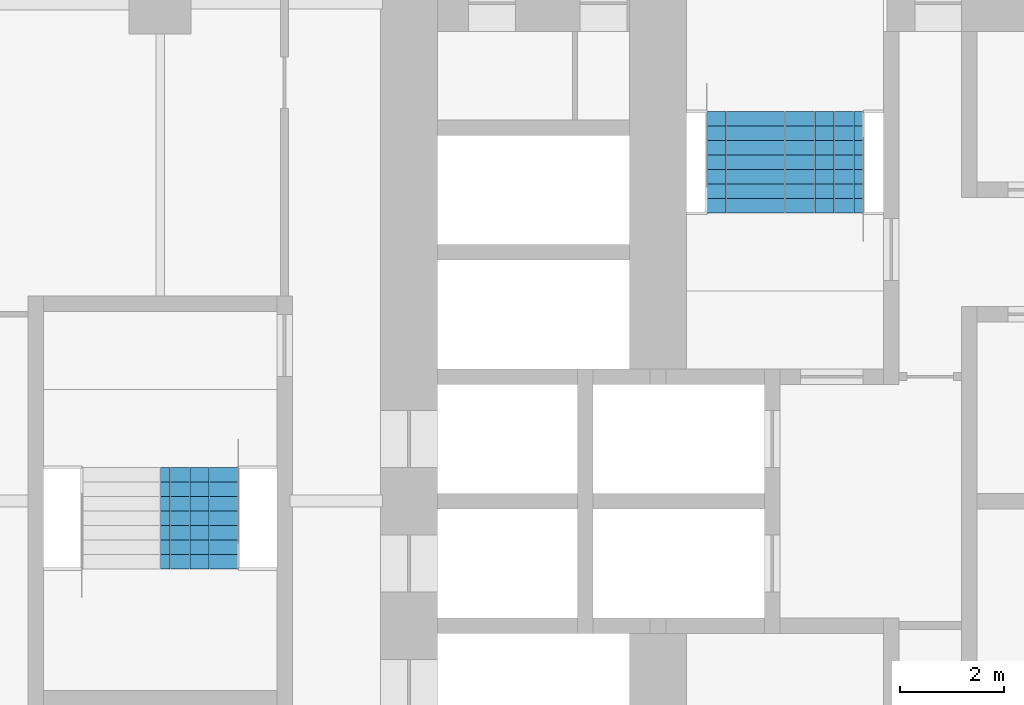
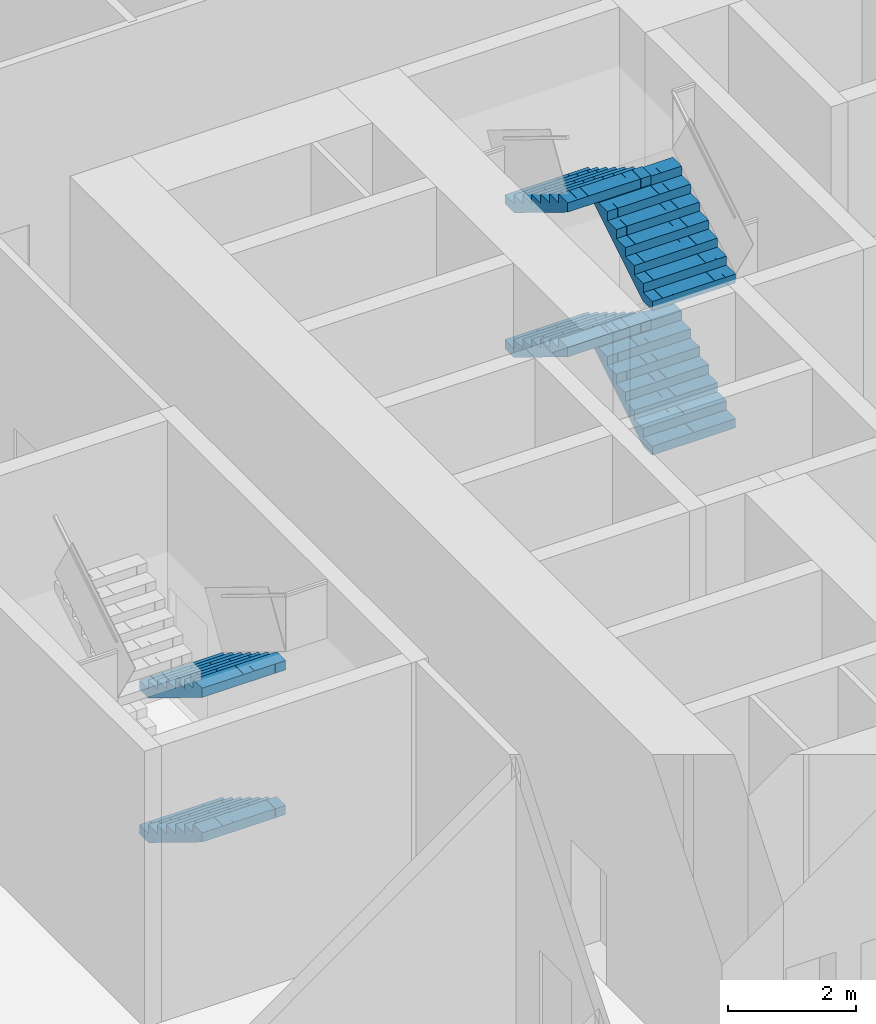
# One storey, part 24 of 27: 6 stair flights, 2 elements without a shape of their own.
"""IFC4 building model written with IfcOpenShell, lengths in metres."""

from ifc_helpers import new_model, si_unit, direction, frame, origin, place, context, subcontext, project, spatial, polyline, outline, extrude, material, type_object, element, aggregate, save


model = new_model("IFC4")

# Units and contexts
model_context = context("Model", 3, precision=1e-05, world=origin(), true_north=direction((0.0, 1.0)))
body_context = subcontext(model_context, "Body", "Model", "MODEL_VIEW")
ifc_project = project(units=[si_unit("LENGTHUNIT", "METRE"), si_unit("AREAUNIT", "SQUARE_METRE"), si_unit("VOLUMEUNIT", "CUBIC_METRE"), si_unit("PLANEANGLEUNIT", "RADIAN"), si_unit("MASSUNIT", "GRAM", prefix="KILO")], contexts=[model_context])

# Site, building, storey
site_placement = place(None, origin())
site = spatial("IfcSite", under=ifc_project, at=site_placement, CompositionType="ELEMENT")
building_placement = place(site_placement, origin())
building = spatial("IfcBuilding", under=site, at=building_placement, Name="Kolab Exchange Tower", CompositionType="ELEMENT")
storey_placement = place(building_placement, frame((0.0, 0.0, 44.39990234375)))
storey = spatial("IfcBuildingStorey", under=building, at=storey_placement, Name="L08", CompositionType="ELEMENT", Elevation=44.39990234375)

# Stair, stair flights
ifc_material = material(Name="Concrete C50/60", Category="concrete")
stair_type_1 = type_object("IfcStairType", Name="STAIR ST1 RISER 171.9", PredefinedType="DOUBLE_RETURN_STAIR", material=ifc_material)
stair_1_placement = place(storey_placement, origin())
stair_1 = element("IfcStair", 1, at=stair_1_placement, inside=storey, type_object=stair_type_1, Name="Stair 1", PredefinedType="DOUBLE_RETURN_STAIR")
stair_flight_type = type_object("IfcStairFlightType", Name="STAIR FLIGHT 1500 RISER 171.9", PredefinedType="STRAIGHT", material=ifc_material)
stair_flight_1_placement = place(storey_placement, frame((-6.389892578125, 5.550048828125, 0.0), z_axis=(0.0, 0.0, 1.0), x_axis=(0.0, 1.0, 0.0)))
stair_flight_1 = element("IfcStairFlight", 2, at=stair_flight_1_placement, type_object=stair_flight_type, Name="ST1 flight 1", NumberOfRisers=8, NumberOfTreads=7, PredefinedType="STRAIGHT", RiserHeight=0.171875, TreadLength=0.28, context=body_context, shape_type="SweptSolid", body=[
    extrude(outline(polyline([(0.0, 0.0), (0.0, 0.171875), (0.280029296875, 0.171875), (0.280029296875, 0.34375), (0.56005859375, 0.34375), (0.56005859375, 0.515625), (0.840087890625, 0.515625), (0.840087890625, 0.6875), (1.1201171875, 0.6875), (1.1201171875, 0.859375), (1.39990234375, 0.859375), (1.39990234375, 1.03125), (1.679931640625, 1.03125), (1.679931640625, 1.203125), (1.9599609375, 1.203125), (1.9599609375, 1.375), (1.9599609375, 1.02734375), (0.28662109375, 0.0), (0.0, 0.0)])), frame((0.0, 0.75, 0.0), z_axis=(0.0, -1.0, 0.0), x_axis=(1.0, 0.0, 0.0)), (0.0, 0.0, 1.0), 0.185791015625),
    extrude(outline(polyline([(0.0, 0.0), (0.0, 0.171875), (0.280029296875, 0.171875), (0.280029296875, 0.34375), (0.56005859375, 0.34375), (0.56005859375, 0.515625), (0.840087890625, 0.515625), (0.840087890625, 0.6875), (1.1201171875, 0.6875), (1.1201171875, 0.859375), (1.39990234375, 0.859375), (1.39990234375, 1.03125), (1.679931640625, 1.03125), (1.679931640625, 1.203125), (1.9599609375, 1.203125), (1.9599609375, 1.375), (1.9599609375, 1.02734375), (0.28662109375, 0.0), (0.0, 0.0)])), frame((0.0, 0.562255859375, 0.0), z_axis=(0.0, -1.0, 0.0), x_axis=(1.0, 0.0, 0.0)), (0.0, 0.0, 1.0), 0.185791015625),
    extrude(outline(polyline([(0.0, 0.0), (0.0, 0.171875), (0.280029296875, 0.171875), (0.280029296875, 0.34375), (0.56005859375, 0.34375), (0.56005859375, 0.515625), (0.840087890625, 0.515625), (0.840087890625, 0.6875), (1.1201171875, 0.6875), (1.1201171875, 0.859375), (1.39990234375, 0.859375), (1.39990234375, 1.03125), (1.679931640625, 1.03125), (1.679931640625, 1.203125), (1.9599609375, 1.203125), (1.9599609375, 1.375), (1.9599609375, 1.02734375), (0.28662109375, 0.0), (0.0, 0.0)])), frame((0.0, 0.37451171875, 0.0), z_axis=(0.0, -1.0, 0.0), x_axis=(1.0, 0.0, 0.0)), (0.0, 0.0, 1.0), 0.185791015625),
    extrude(outline(polyline([(0.0, 0.0), (0.0, 0.171875), (0.280029296875, 0.171875), (0.280029296875, 0.34375), (0.56005859375, 0.34375), (0.56005859375, 0.515625), (0.840087890625, 0.515625), (0.840087890625, 0.6875), (1.1201171875, 0.6875), (1.1201171875, 0.859375), (1.39990234375, 0.859375), (1.39990234375, 1.03125), (1.679931640625, 1.03125), (1.679931640625, 1.203125), (1.9599609375, 1.203125), (1.9599609375, 1.375), (1.9599609375, 1.02734375), (0.28662109375, 0.0), (0.0, 0.0)])), frame((0.0, 0.186767578125, 0.0), z_axis=(0.0, -1.0, 0.0), x_axis=(1.0, 0.0, 0.0)), (0.0, 0.0, 1.0), 0.185791015625),
    extrude(outline(polyline([(0.0, 0.0), (0.0, 0.171875), (0.280029296875, 0.171875), (0.280029296875, 0.34375), (0.56005859375, 0.34375), (0.56005859375, 0.515625), (0.840087890625, 0.515625), (0.840087890625, 0.6875), (1.1201171875, 0.6875), (1.1201171875, 0.859375), (1.39990234375, 0.859375), (1.39990234375, 1.03125), (1.679931640625, 1.03125), (1.679931640625, 1.203125), (1.9599609375, 1.203125), (1.9599609375, 1.375), (1.9599609375, 1.02734375), (0.28662109375, 0.0), (0.0, 0.0)])), frame((0.0, -0.0009765625, 0.0), z_axis=(0.0, -1.0, 0.0), x_axis=(1.0, 0.0, 0.0)), (0.0, 0.0, 1.0), 0.185791015625),
    extrude(outline(polyline([(0.0, 0.0), (0.0, 0.171875), (0.280029296875, 0.171875), (0.280029296875, 0.34375), (0.56005859375, 0.34375), (0.56005859375, 0.515625), (0.840087890625, 0.515625), (0.840087890625, 0.6875), (1.1201171875, 0.6875), (1.1201171875, 0.859375), (1.39990234375, 0.859375), (1.39990234375, 1.03125), (1.679931640625, 1.03125), (1.679931640625, 1.203125), (1.9599609375, 1.203125), (1.9599609375, 1.375), (1.9599609375, 1.02734375), (0.28662109375, 0.0), (0.0, 0.0)])), frame((0.0, -0.188720703125, 0.0), z_axis=(0.0, -1.0, 0.0), x_axis=(1.0, 0.0, 0.0)), (0.0, 0.0, 1.0), 0.185791015625),
    extrude(outline(polyline([(0.0, 0.0), (0.0, 0.171875), (0.280029296875, 0.171875), (0.280029296875, 0.34375), (0.56005859375, 0.34375), (0.56005859375, 0.515625), (0.840087890625, 0.515625), (0.840087890625, 0.6875), (1.1201171875, 0.6875), (1.1201171875, 0.859375), (1.39990234375, 0.859375), (1.39990234375, 1.03125), (1.679931640625, 1.03125), (1.679931640625, 1.203125), (1.9599609375, 1.203125), (1.9599609375, 1.375), (1.9599609375, 1.02734375), (0.28662109375, 0.0), (0.0, 0.0)])), frame((0.0, -0.37646484375, 0.0), z_axis=(0.0, -1.0, 0.0), x_axis=(1.0, 0.0, 0.0)), (0.0, 0.0, 1.0), 0.185791015625),
    extrude(outline(polyline([(0.0, 0.0), (0.0, 0.171875), (0.280029296875, 0.171875), (0.280029296875, 0.34375), (0.56005859375, 0.34375), (0.56005859375, 0.515625), (0.840087890625, 0.515625), (0.840087890625, 0.6875), (1.1201171875, 0.6875), (1.1201171875, 0.859375), (1.39990234375, 0.859375), (1.39990234375, 1.03125), (1.679931640625, 1.03125), (1.679931640625, 1.203125), (1.9599609375, 1.203125), (1.9599609375, 1.375), (1.9599609375, 1.02734375), (0.28662109375, 0.0), (0.0, 0.0)])), frame((0.0, -0.564208984375, 0.0), z_axis=(0.0, -1.0, 0.0), x_axis=(1.0, 0.0, 0.0)), (0.0, 0.0, 1.0), 0.185791015625),
])
stair_flight_2_placement = place(storey_placement, frame((-7.909912109375, 7.510009765625, 1.375), z_axis=(0.0, 0.0, 1.0), x_axis=(0.0, -1.0, 0.0)))
stair_flight_2 = element("IfcStairFlight", 3, at=stair_flight_2_placement, type_object=stair_flight_type, Name="ST1 flight 2", NumberOfRisers=8, NumberOfTreads=7, PredefinedType="STRAIGHT", RiserHeight=0.171875, TreadLength=0.28, context=body_context, shape_type="SweptSolid", body=[
    extrude(outline(polyline([(0.0, 0.0), (0.0, 0.171875), (0.280029296875, 0.171875), (0.280029296875, 0.34375), (0.56005859375, 0.34375), (0.56005859375, 0.515625), (0.840087890625, 0.515625), (0.840087890625, 0.6875), (1.1201171875, 0.6875), (1.1201171875, 0.859375), (1.39990234375, 0.859375), (1.39990234375, 1.03125), (1.679931640625, 1.03125), (1.679931640625, 1.203125), (1.9599609375, 1.203125), (1.9599609375, 1.375), (1.9599609375, 1.02734375), (0.28662109375, 0.0), (0.0, 0.0)])), frame((0.0, 0.75, 0.0), z_axis=(0.0, -1.0, 0.0), x_axis=(1.0, 0.0, 0.0)), (0.0, 0.0, 1.0), 0.185791015625),
    extrude(outline(polyline([(0.0, 0.0), (0.0, 0.171875), (0.280029296875, 0.171875), (0.280029296875, 0.34375), (0.56005859375, 0.34375), (0.56005859375, 0.515625), (0.840087890625, 0.515625), (0.840087890625, 0.6875), (1.1201171875, 0.6875), (1.1201171875, 0.859375), (1.39990234375, 0.859375), (1.39990234375, 1.03125), (1.679931640625, 1.03125), (1.679931640625, 1.203125), (1.9599609375, 1.203125), (1.9599609375, 1.375), (1.9599609375, 1.02734375), (0.28662109375, 0.0), (0.0, 0.0)])), frame((0.0, 0.562255859375, 0.0), z_axis=(0.0, -1.0, 0.0), x_axis=(1.0, 0.0, 0.0)), (0.0, 0.0, 1.0), 0.185791015625),
    extrude(outline(polyline([(0.0, 0.0), (0.0, 0.171875), (0.280029296875, 0.171875), (0.280029296875, 0.34375), (0.56005859375, 0.34375), (0.56005859375, 0.515625), (0.840087890625, 0.515625), (0.840087890625, 0.6875), (1.1201171875, 0.6875), (1.1201171875, 0.859375), (1.39990234375, 0.859375), (1.39990234375, 1.03125), (1.679931640625, 1.03125), (1.679931640625, 1.203125), (1.9599609375, 1.203125), (1.9599609375, 1.375), (1.9599609375, 1.02734375), (0.28662109375, 0.0), (0.0, 0.0)])), frame((0.0, 0.37451171875, 0.0), z_axis=(0.0, -1.0, 0.0), x_axis=(1.0, 0.0, 0.0)), (0.0, 0.0, 1.0), 0.185791015625),
    extrude(outline(polyline([(0.0, 0.0), (0.0, 0.171875), (0.280029296875, 0.171875), (0.280029296875, 0.34375), (0.56005859375, 0.34375), (0.56005859375, 0.515625), (0.840087890625, 0.515625), (0.840087890625, 0.6875), (1.1201171875, 0.6875), (1.1201171875, 0.859375), (1.39990234375, 0.859375), (1.39990234375, 1.03125), (1.679931640625, 1.03125), (1.679931640625, 1.203125), (1.9599609375, 1.203125), (1.9599609375, 1.375), (1.9599609375, 1.02734375), (0.28662109375, 0.0), (0.0, 0.0)])), frame((0.0, 0.186767578125, 0.0), z_axis=(0.0, -1.0, 0.0), x_axis=(1.0, 0.0, 0.0)), (0.0, 0.0, 1.0), 0.185791015625),
    extrude(outline(polyline([(0.0, 0.0), (0.0, 0.171875), (0.280029296875, 0.171875), (0.280029296875, 0.34375), (0.56005859375, 0.34375), (0.56005859375, 0.515625), (0.840087890625, 0.515625), (0.840087890625, 0.6875), (1.1201171875, 0.6875), (1.1201171875, 0.859375), (1.39990234375, 0.859375), (1.39990234375, 1.03125), (1.679931640625, 1.03125), (1.679931640625, 1.203125), (1.9599609375, 1.203125), (1.9599609375, 1.375), (1.9599609375, 1.02734375), (0.28662109375, 0.0), (0.0, 0.0)])), frame((0.0, -0.0009765625, 0.0), z_axis=(0.0, -1.0, 0.0), x_axis=(1.0, 0.0, 0.0)), (0.0, 0.0, 1.0), 0.185791015625),
    extrude(outline(polyline([(0.0, 0.0), (0.0, 0.171875), (0.280029296875, 0.171875), (0.280029296875, 0.34375), (0.56005859375, 0.34375), (0.56005859375, 0.515625), (0.840087890625, 0.515625), (0.840087890625, 0.6875), (1.1201171875, 0.6875), (1.1201171875, 0.859375), (1.39990234375, 0.859375), (1.39990234375, 1.03125), (1.679931640625, 1.03125), (1.679931640625, 1.203125), (1.9599609375, 1.203125), (1.9599609375, 1.375), (1.9599609375, 1.02734375), (0.28662109375, 0.0), (0.0, 0.0)])), frame((0.0, -0.188720703125, 0.0), z_axis=(0.0, -1.0, 0.0), x_axis=(1.0, 0.0, 0.0)), (0.0, 0.0, 1.0), 0.185791015625),
    extrude(outline(polyline([(0.0, 0.0), (0.0, 0.171875), (0.280029296875, 0.171875), (0.280029296875, 0.34375), (0.56005859375, 0.34375), (0.56005859375, 0.515625), (0.840087890625, 0.515625), (0.840087890625, 0.6875), (1.1201171875, 0.6875), (1.1201171875, 0.859375), (1.39990234375, 0.859375), (1.39990234375, 1.03125), (1.679931640625, 1.03125), (1.679931640625, 1.203125), (1.9599609375, 1.203125), (1.9599609375, 1.375), (1.9599609375, 1.02734375), (0.28662109375, 0.0), (0.0, 0.0)])), frame((0.0, -0.37646484375, 0.0), z_axis=(0.0, -1.0, 0.0), x_axis=(1.0, 0.0, 0.0)), (0.0, 0.0, 1.0), 0.185791015625),
    extrude(outline(polyline([(0.0, 0.0), (0.0, 0.171875), (0.280029296875, 0.171875), (0.280029296875, 0.34375), (0.56005859375, 0.34375), (0.56005859375, 0.515625), (0.840087890625, 0.515625), (0.840087890625, 0.6875), (1.1201171875, 0.6875), (1.1201171875, 0.859375), (1.39990234375, 0.859375), (1.39990234375, 1.03125), (1.679931640625, 1.03125), (1.679931640625, 1.203125), (1.9599609375, 1.203125), (1.9599609375, 1.375), (1.9599609375, 1.02734375), (0.28662109375, 0.0), (0.0, 0.0)])), frame((0.0, -0.564208984375, 0.0), z_axis=(0.0, -1.0, 0.0), x_axis=(1.0, 0.0, 0.0)), (0.0, 0.0, 1.0), 0.185791015625),
])
stair_flight_3_placement = place(storey_placement, frame((-6.389892578125, 5.550048828125, 2.75), z_axis=(0.0, 0.0, 1.0), x_axis=(0.0, 1.0, 0.0)))
stair_flight_3 = element("IfcStairFlight", 4, at=stair_flight_3_placement, type_object=stair_flight_type, Name="ST1 flight 3", NumberOfRisers=8, NumberOfTreads=7, PredefinedType="STRAIGHT", RiserHeight=0.171875, TreadLength=0.28, context=body_context, shape_type="SweptSolid", body=[
    extrude(outline(polyline([(0.0, 0.0), (0.0, 0.171875), (0.280029296875, 0.171875), (0.280029296875, 0.34375), (0.56005859375, 0.34375), (0.56005859375, 0.515625), (0.840087890625, 0.515625), (0.840087890625, 0.6875), (1.1201171875, 0.6875), (1.1201171875, 0.859375), (1.39990234375, 0.859375), (1.39990234375, 1.03125), (1.679931640625, 1.03125), (1.679931640625, 1.203125), (1.9599609375, 1.203125), (1.9599609375, 1.375), (1.9599609375, 1.02734375), (0.28662109375, 0.0), (0.0, 0.0)])), frame((0.0, 0.75, 0.0), z_axis=(0.0, -1.0, 0.0), x_axis=(1.0, 0.0, 0.0)), (0.0, 0.0, 1.0), 0.185791015625),
    extrude(outline(polyline([(0.0, 0.0), (0.0, 0.171875), (0.280029296875, 0.171875), (0.280029296875, 0.34375), (0.56005859375, 0.34375), (0.56005859375, 0.515625), (0.840087890625, 0.515625), (0.840087890625, 0.6875), (1.1201171875, 0.6875), (1.1201171875, 0.859375), (1.39990234375, 0.859375), (1.39990234375, 1.03125), (1.679931640625, 1.03125), (1.679931640625, 1.203125), (1.9599609375, 1.203125), (1.9599609375, 1.375), (1.9599609375, 1.02734375), (0.28662109375, 0.0), (0.0, 0.0)])), frame((0.0, 0.562255859375, 0.0), z_axis=(0.0, -1.0, 0.0), x_axis=(1.0, 0.0, 0.0)), (0.0, 0.0, 1.0), 0.185791015625),
    extrude(outline(polyline([(0.0, 0.0), (0.0, 0.171875), (0.280029296875, 0.171875), (0.280029296875, 0.34375), (0.56005859375, 0.34375), (0.56005859375, 0.515625), (0.840087890625, 0.515625), (0.840087890625, 0.6875), (1.1201171875, 0.6875), (1.1201171875, 0.859375), (1.39990234375, 0.859375), (1.39990234375, 1.03125), (1.679931640625, 1.03125), (1.679931640625, 1.203125), (1.9599609375, 1.203125), (1.9599609375, 1.375), (1.9599609375, 1.02734375), (0.28662109375, 0.0), (0.0, 0.0)])), frame((0.0, 0.37451171875, 0.0), z_axis=(0.0, -1.0, 0.0), x_axis=(1.0, 0.0, 0.0)), (0.0, 0.0, 1.0), 0.185791015625),
    extrude(outline(polyline([(0.0, 0.0), (0.0, 0.171875), (0.280029296875, 0.171875), (0.280029296875, 0.34375), (0.56005859375, 0.34375), (0.56005859375, 0.515625), (0.840087890625, 0.515625), (0.840087890625, 0.6875), (1.1201171875, 0.6875), (1.1201171875, 0.859375), (1.39990234375, 0.859375), (1.39990234375, 1.03125), (1.679931640625, 1.03125), (1.679931640625, 1.203125), (1.9599609375, 1.203125), (1.9599609375, 1.375), (1.9599609375, 1.02734375), (0.28662109375, 0.0), (0.0, 0.0)])), frame((0.0, 0.186767578125, 0.0), z_axis=(0.0, -1.0, 0.0), x_axis=(1.0, 0.0, 0.0)), (0.0, 0.0, 1.0), 0.185791015625),
    extrude(outline(polyline([(0.0, 0.0), (0.0, 0.171875), (0.280029296875, 0.171875), (0.280029296875, 0.34375), (0.56005859375, 0.34375), (0.56005859375, 0.515625), (0.840087890625, 0.515625), (0.840087890625, 0.6875), (1.1201171875, 0.6875), (1.1201171875, 0.859375), (1.39990234375, 0.859375), (1.39990234375, 1.03125), (1.679931640625, 1.03125), (1.679931640625, 1.203125), (1.9599609375, 1.203125), (1.9599609375, 1.375), (1.9599609375, 1.02734375), (0.28662109375, 0.0), (0.0, 0.0)])), frame((0.0, -0.0009765625, 0.0), z_axis=(0.0, -1.0, 0.0), x_axis=(1.0, 0.0, 0.0)), (0.0, 0.0, 1.0), 0.185791015625),
    extrude(outline(polyline([(0.0, 0.0), (0.0, 0.171875), (0.280029296875, 0.171875), (0.280029296875, 0.34375), (0.56005859375, 0.34375), (0.56005859375, 0.515625), (0.840087890625, 0.515625), (0.840087890625, 0.6875), (1.1201171875, 0.6875), (1.1201171875, 0.859375), (1.39990234375, 0.859375), (1.39990234375, 1.03125), (1.679931640625, 1.03125), (1.679931640625, 1.203125), (1.9599609375, 1.203125), (1.9599609375, 1.375), (1.9599609375, 1.02734375), (0.28662109375, 0.0), (0.0, 0.0)])), frame((0.0, -0.188720703125, 0.0), z_axis=(0.0, -1.0, 0.0), x_axis=(1.0, 0.0, 0.0)), (0.0, 0.0, 1.0), 0.185791015625),
    extrude(outline(polyline([(0.0, 0.0), (0.0, 0.171875), (0.280029296875, 0.171875), (0.280029296875, 0.34375), (0.56005859375, 0.34375), (0.56005859375, 0.515625), (0.840087890625, 0.515625), (0.840087890625, 0.6875), (1.1201171875, 0.6875), (1.1201171875, 0.859375), (1.39990234375, 0.859375), (1.39990234375, 1.03125), (1.679931640625, 1.03125), (1.679931640625, 1.203125), (1.9599609375, 1.203125), (1.9599609375, 1.375), (1.9599609375, 1.02734375), (0.28662109375, 0.0), (0.0, 0.0)])), frame((0.0, -0.37646484375, 0.0), z_axis=(0.0, -1.0, 0.0), x_axis=(1.0, 0.0, 0.0)), (0.0, 0.0, 1.0), 0.185791015625),
    extrude(outline(polyline([(0.0, 0.0), (0.0, 0.171875), (0.280029296875, 0.171875), (0.280029296875, 0.34375), (0.56005859375, 0.34375), (0.56005859375, 0.515625), (0.840087890625, 0.515625), (0.840087890625, 0.6875), (1.1201171875, 0.6875), (1.1201171875, 0.859375), (1.39990234375, 0.859375), (1.39990234375, 1.03125), (1.679931640625, 1.03125), (1.679931640625, 1.203125), (1.9599609375, 1.203125), (1.9599609375, 1.375), (1.9599609375, 1.02734375), (0.28662109375, 0.0), (0.0, 0.0)])), frame((0.0, -0.564208984375, 0.0), z_axis=(0.0, -1.0, 0.0), x_axis=(1.0, 0.0, 0.0)), (0.0, 0.0, 1.0), 0.185791015625),
])
stair_flight_4_placement = place(storey_placement, frame((-7.909912109375, 7.510009765625, 4.125), z_axis=(0.0, 0.0, 1.0), x_axis=(0.0, -1.0, 0.0)))
stair_flight_4 = element("IfcStairFlight", 5, at=stair_flight_4_placement, type_object=stair_flight_type, Name="ST1 flight 4", NumberOfRisers=8, NumberOfTreads=7, PredefinedType="STRAIGHT", RiserHeight=0.171875, TreadLength=0.28, context=body_context, shape_type="SweptSolid", body=[
    extrude(outline(polyline([(0.0, 0.0), (0.0, 0.171875), (0.280029296875, 0.171875), (0.280029296875, 0.34375), (0.56005859375, 0.34375), (0.56005859375, 0.515625), (0.840087890625, 0.515625), (0.840087890625, 0.6875), (1.1201171875, 0.6875), (1.1201171875, 0.859375), (1.39990234375, 0.859375), (1.39990234375, 1.03125), (1.679931640625, 1.03125), (1.679931640625, 1.203125), (1.9599609375, 1.203125), (1.9599609375, 1.375), (1.9599609375, 1.02734375), (0.28662109375, 0.0), (0.0, 0.0)])), frame((0.0, 0.75, 0.0), z_axis=(0.0, -1.0, 0.0), x_axis=(1.0, 0.0, 0.0)), (0.0, 0.0, 1.0), 0.185791015625),
    extrude(outline(polyline([(0.0, 0.0), (0.0, 0.171875), (0.280029296875, 0.171875), (0.280029296875, 0.34375), (0.56005859375, 0.34375), (0.56005859375, 0.515625), (0.840087890625, 0.515625), (0.840087890625, 0.6875), (1.1201171875, 0.6875), (1.1201171875, 0.859375), (1.39990234375, 0.859375), (1.39990234375, 1.03125), (1.679931640625, 1.03125), (1.679931640625, 1.203125), (1.9599609375, 1.203125), (1.9599609375, 1.375), (1.9599609375, 1.02734375), (0.28662109375, 0.0), (0.0, 0.0)])), frame((0.0, 0.562255859375, 0.0), z_axis=(0.0, -1.0, 0.0), x_axis=(1.0, 0.0, 0.0)), (0.0, 0.0, 1.0), 0.185791015625),
    extrude(outline(polyline([(0.0, 0.0), (0.0, 0.171875), (0.280029296875, 0.171875), (0.280029296875, 0.34375), (0.56005859375, 0.34375), (0.56005859375, 0.515625), (0.840087890625, 0.515625), (0.840087890625, 0.6875), (1.1201171875, 0.6875), (1.1201171875, 0.859375), (1.39990234375, 0.859375), (1.39990234375, 1.03125), (1.679931640625, 1.03125), (1.679931640625, 1.203125), (1.9599609375, 1.203125), (1.9599609375, 1.375), (1.9599609375, 1.02734375), (0.28662109375, 0.0), (0.0, 0.0)])), frame((0.0, 0.37451171875, 0.0), z_axis=(0.0, -1.0, 0.0), x_axis=(1.0, 0.0, 0.0)), (0.0, 0.0, 1.0), 0.185791015625),
    extrude(outline(polyline([(0.0, 0.0), (0.0, 0.171875), (0.280029296875, 0.171875), (0.280029296875, 0.34375), (0.56005859375, 0.34375), (0.56005859375, 0.515625), (0.840087890625, 0.515625), (0.840087890625, 0.6875), (1.1201171875, 0.6875), (1.1201171875, 0.859375), (1.39990234375, 0.859375), (1.39990234375, 1.03125), (1.679931640625, 1.03125), (1.679931640625, 1.203125), (1.9599609375, 1.203125), (1.9599609375, 1.375), (1.9599609375, 1.02734375), (0.28662109375, 0.0), (0.0, 0.0)])), frame((0.0, 0.186767578125, 0.0), z_axis=(0.0, -1.0, 0.0), x_axis=(1.0, 0.0, 0.0)), (0.0, 0.0, 1.0), 0.185791015625),
    extrude(outline(polyline([(0.0, 0.0), (0.0, 0.171875), (0.280029296875, 0.171875), (0.280029296875, 0.34375), (0.56005859375, 0.34375), (0.56005859375, 0.515625), (0.840087890625, 0.515625), (0.840087890625, 0.6875), (1.1201171875, 0.6875), (1.1201171875, 0.859375), (1.39990234375, 0.859375), (1.39990234375, 1.03125), (1.679931640625, 1.03125), (1.679931640625, 1.203125), (1.9599609375, 1.203125), (1.9599609375, 1.375), (1.9599609375, 1.02734375), (0.28662109375, 0.0), (0.0, 0.0)])), frame((0.0, -0.0009765625, 0.0), z_axis=(0.0, -1.0, 0.0), x_axis=(1.0, 0.0, 0.0)), (0.0, 0.0, 1.0), 0.185791015625),
    extrude(outline(polyline([(0.0, 0.0), (0.0, 0.171875), (0.280029296875, 0.171875), (0.280029296875, 0.34375), (0.56005859375, 0.34375), (0.56005859375, 0.515625), (0.840087890625, 0.515625), (0.840087890625, 0.6875), (1.1201171875, 0.6875), (1.1201171875, 0.859375), (1.39990234375, 0.859375), (1.39990234375, 1.03125), (1.679931640625, 1.03125), (1.679931640625, 1.203125), (1.9599609375, 1.203125), (1.9599609375, 1.375), (1.9599609375, 1.02734375), (0.28662109375, 0.0), (0.0, 0.0)])), frame((0.0, -0.188720703125, 0.0), z_axis=(0.0, -1.0, 0.0), x_axis=(1.0, 0.0, 0.0)), (0.0, 0.0, 1.0), 0.185791015625),
    extrude(outline(polyline([(0.0, 0.0), (0.0, 0.171875), (0.280029296875, 0.171875), (0.280029296875, 0.34375), (0.56005859375, 0.34375), (0.56005859375, 0.515625), (0.840087890625, 0.515625), (0.840087890625, 0.6875), (1.1201171875, 0.6875), (1.1201171875, 0.859375), (1.39990234375, 0.859375), (1.39990234375, 1.03125), (1.679931640625, 1.03125), (1.679931640625, 1.203125), (1.9599609375, 1.203125), (1.9599609375, 1.375), (1.9599609375, 1.02734375), (0.28662109375, 0.0), (0.0, 0.0)])), frame((0.0, -0.37646484375, 0.0), z_axis=(0.0, -1.0, 0.0), x_axis=(1.0, 0.0, 0.0)), (0.0, 0.0, 1.0), 0.185791015625),
    extrude(outline(polyline([(0.0, 0.0), (0.0, 0.171875), (0.280029296875, 0.171875), (0.280029296875, 0.34375), (0.56005859375, 0.34375), (0.56005859375, 0.515625), (0.840087890625, 0.515625), (0.840087890625, 0.6875), (1.1201171875, 0.6875), (1.1201171875, 0.859375), (1.39990234375, 0.859375), (1.39990234375, 1.03125), (1.679931640625, 1.03125), (1.679931640625, 1.203125), (1.9599609375, 1.203125), (1.9599609375, 1.375), (1.9599609375, 1.02734375), (0.28662109375, 0.0), (0.0, 0.0)])), frame((0.0, -0.564208984375, 0.0), z_axis=(0.0, -1.0, 0.0), x_axis=(1.0, 0.0, 0.0)), (0.0, 0.0, 1.0), 0.185791015625),
])
aggregate(stair_1, [stair_flight_1, stair_flight_2, stair_flight_3, stair_flight_4])

stair_type_2 = type_object("IfcStairType", Name="STAIR ST5 RISER 171.9", PredefinedType="DOUBLE_RETURN_STAIR", material=ifc_material)
stair_2_placement = place(storey_placement, origin())
stair_2 = element("IfcStair", 6, at=stair_2_placement, inside=storey, type_object=stair_type_2, Name="Stair 5", PredefinedType="DOUBLE_RETURN_STAIR")
stair_flight_5_placement = place(storey_placement, frame((-18.43994140625, 0.64990234375, 0.0), z_axis=(0.0, 0.0, 1.0), x_axis=(0.0, -1.0, 0.0)))
stair_flight_5 = element("IfcStairFlight", 7, at=stair_flight_5_placement, type_object=stair_flight_type, Name="ST5 flight 1", NumberOfRisers=8, NumberOfTreads=7, PredefinedType="STRAIGHT", RiserHeight=0.171875, TreadLength=0.28, context=body_context, shape_type="SweptSolid", body=[
    extrude(outline(polyline([(0.0, 0.0), (0.0, 0.171875), (0.280029296875, 0.171875), (0.280029296875, 0.34375), (0.56005859375, 0.34375), (0.56005859375, 0.515625), (0.840087890625, 0.515625), (0.840087890625, 0.6875), (1.1201171875, 0.6875), (1.1201171875, 0.859375), (1.39990234375, 0.859375), (1.39990234375, 1.03125), (1.679931640625, 1.03125), (1.679931640625, 1.203125), (1.9599609375, 1.203125), (1.9599609375, 1.375), (1.9599609375, 1.02734375), (0.28662109375, 0.0), (0.0, 0.0)])), frame((0.0, 0.75, 0.0), z_axis=(0.0, -1.0, 0.0), x_axis=(1.0, 0.0, 0.0)), (0.0, 0.0, 1.0), 0.185791015625),
    extrude(outline(polyline([(0.0, 0.0), (0.0, 0.171875), (0.280029296875, 0.171875), (0.280029296875, 0.34375), (0.56005859375, 0.34375), (0.56005859375, 0.515625), (0.840087890625, 0.515625), (0.840087890625, 0.6875), (1.1201171875, 0.6875), (1.1201171875, 0.859375), (1.39990234375, 0.859375), (1.39990234375, 1.03125), (1.679931640625, 1.03125), (1.679931640625, 1.203125), (1.9599609375, 1.203125), (1.9599609375, 1.375), (1.9599609375, 1.02734375), (0.28662109375, 0.0), (0.0, 0.0)])), frame((0.0, 0.562255859375, 0.0), z_axis=(0.0, -1.0, 0.0), x_axis=(1.0, 0.0, 0.0)), (0.0, 0.0, 1.0), 0.185791015625),
    extrude(outline(polyline([(0.0, 0.0), (0.0, 0.171875), (0.280029296875, 0.171875), (0.280029296875, 0.34375), (0.56005859375, 0.34375), (0.56005859375, 0.515625), (0.840087890625, 0.515625), (0.840087890625, 0.6875), (1.1201171875, 0.6875), (1.1201171875, 0.859375), (1.39990234375, 0.859375), (1.39990234375, 1.03125), (1.679931640625, 1.03125), (1.679931640625, 1.203125), (1.9599609375, 1.203125), (1.9599609375, 1.375), (1.9599609375, 1.02734375), (0.28662109375, 0.0), (0.0, 0.0)])), frame((0.0, 0.37451171875, 0.0), z_axis=(0.0, -1.0, 0.0), x_axis=(1.0, 0.0, 0.0)), (0.0, 0.0, 1.0), 0.185791015625),
    extrude(outline(polyline([(0.0, 0.0), (0.0, 0.171875), (0.280029296875, 0.171875), (0.280029296875, 0.34375), (0.56005859375, 0.34375), (0.56005859375, 0.515625), (0.840087890625, 0.515625), (0.840087890625, 0.6875), (1.1201171875, 0.6875), (1.1201171875, 0.859375), (1.39990234375, 0.859375), (1.39990234375, 1.03125), (1.679931640625, 1.03125), (1.679931640625, 1.203125), (1.9599609375, 1.203125), (1.9599609375, 1.375), (1.9599609375, 1.02734375), (0.28662109375, 0.0), (0.0, 0.0)])), frame((0.0, 0.186767578125, 0.0), z_axis=(0.0, -1.0, 0.0), x_axis=(1.0, 0.0, 0.0)), (0.0, 0.0, 1.0), 0.185791015625),
    extrude(outline(polyline([(0.0, 0.0), (0.0, 0.171875), (0.280029296875, 0.171875), (0.280029296875, 0.34375), (0.56005859375, 0.34375), (0.56005859375, 0.515625), (0.840087890625, 0.515625), (0.840087890625, 0.6875), (1.1201171875, 0.6875), (1.1201171875, 0.859375), (1.39990234375, 0.859375), (1.39990234375, 1.03125), (1.679931640625, 1.03125), (1.679931640625, 1.203125), (1.9599609375, 1.203125), (1.9599609375, 1.375), (1.9599609375, 1.02734375), (0.28662109375, 0.0), (0.0, 0.0)])), frame((0.0, -0.0009765625, 0.0), z_axis=(0.0, -1.0, 0.0), x_axis=(1.0, 0.0, 0.0)), (0.0, 0.0, 1.0), 0.185791015625),
    extrude(outline(polyline([(0.0, 0.0), (0.0, 0.171875), (0.280029296875, 0.171875), (0.280029296875, 0.34375), (0.56005859375, 0.34375), (0.56005859375, 0.515625), (0.840087890625, 0.515625), (0.840087890625, 0.6875), (1.1201171875, 0.6875), (1.1201171875, 0.859375), (1.39990234375, 0.859375), (1.39990234375, 1.03125), (1.679931640625, 1.03125), (1.679931640625, 1.203125), (1.9599609375, 1.203125), (1.9599609375, 1.375), (1.9599609375, 1.02734375), (0.28662109375, 0.0), (0.0, 0.0)])), frame((0.0, -0.188720703125, 0.0), z_axis=(0.0, -1.0, 0.0), x_axis=(1.0, 0.0, 0.0)), (0.0, 0.0, 1.0), 0.185791015625),
    extrude(outline(polyline([(0.0, 0.0), (0.0, 0.171875), (0.280029296875, 0.171875), (0.280029296875, 0.34375), (0.56005859375, 0.34375), (0.56005859375, 0.515625), (0.840087890625, 0.515625), (0.840087890625, 0.6875), (1.1201171875, 0.6875), (1.1201171875, 0.859375), (1.39990234375, 0.859375), (1.39990234375, 1.03125), (1.679931640625, 1.03125), (1.679931640625, 1.203125), (1.9599609375, 1.203125), (1.9599609375, 1.375), (1.9599609375, 1.02734375), (0.28662109375, 0.0), (0.0, 0.0)])), frame((0.0, -0.37646484375, 0.0), z_axis=(0.0, -1.0, 0.0), x_axis=(1.0, 0.0, 0.0)), (0.0, 0.0, 1.0), 0.185791015625),
    extrude(outline(polyline([(0.0, 0.0), (0.0, 0.171875), (0.280029296875, 0.171875), (0.280029296875, 0.34375), (0.56005859375, 0.34375), (0.56005859375, 0.515625), (0.840087890625, 0.515625), (0.840087890625, 0.6875), (1.1201171875, 0.6875), (1.1201171875, 0.859375), (1.39990234375, 0.859375), (1.39990234375, 1.03125), (1.679931640625, 1.03125), (1.679931640625, 1.203125), (1.9599609375, 1.203125), (1.9599609375, 1.375), (1.9599609375, 1.02734375), (0.28662109375, 0.0), (0.0, 0.0)])), frame((0.0, -0.564208984375, 0.0), z_axis=(0.0, -1.0, 0.0), x_axis=(1.0, 0.0, 0.0)), (0.0, 0.0, 1.0), 0.185791015625),
])
stair_flight_6_placement = place(storey_placement, frame((-18.43994140625, 0.64990234375, 2.75), z_axis=(0.0, 0.0, 1.0), x_axis=(0.0, -1.0, 0.0)))
stair_flight_6 = element("IfcStairFlight", 8, at=stair_flight_6_placement, type_object=stair_flight_type, Name="ST5 flight 3", NumberOfRisers=8, NumberOfTreads=7, PredefinedType="STRAIGHT", RiserHeight=0.171875, TreadLength=0.28, context=body_context, shape_type="SweptSolid", body=[
    extrude(outline(polyline([(0.0, 0.0), (0.0, 0.171875), (0.280029296875, 0.171875), (0.280029296875, 0.34375), (0.56005859375, 0.34375), (0.56005859375, 0.515625), (0.840087890625, 0.515625), (0.840087890625, 0.6875), (1.1201171875, 0.6875), (1.1201171875, 0.859375), (1.39990234375, 0.859375), (1.39990234375, 1.03125), (1.679931640625, 1.03125), (1.679931640625, 1.203125), (1.9599609375, 1.203125), (1.9599609375, 1.375), (1.9599609375, 1.02734375), (0.28662109375, 0.0), (0.0, 0.0)])), frame((0.0, 0.75, 0.0), z_axis=(0.0, -1.0, 0.0), x_axis=(1.0, 0.0, 0.0)), (0.0, 0.0, 1.0), 0.185791015625),
    extrude(outline(polyline([(0.0, 0.0), (0.0, 0.171875), (0.280029296875, 0.171875), (0.280029296875, 0.34375), (0.56005859375, 0.34375), (0.56005859375, 0.515625), (0.840087890625, 0.515625), (0.840087890625, 0.6875), (1.1201171875, 0.6875), (1.1201171875, 0.859375), (1.39990234375, 0.859375), (1.39990234375, 1.03125), (1.679931640625, 1.03125), (1.679931640625, 1.203125), (1.9599609375, 1.203125), (1.9599609375, 1.375), (1.9599609375, 1.02734375), (0.28662109375, 0.0), (0.0, 0.0)])), frame((0.0, 0.562255859375, 0.0), z_axis=(0.0, -1.0, 0.0), x_axis=(1.0, 0.0, 0.0)), (0.0, 0.0, 1.0), 0.185791015625),
    extrude(outline(polyline([(0.0, 0.0), (0.0, 0.171875), (0.280029296875, 0.171875), (0.280029296875, 0.34375), (0.56005859375, 0.34375), (0.56005859375, 0.515625), (0.840087890625, 0.515625), (0.840087890625, 0.6875), (1.1201171875, 0.6875), (1.1201171875, 0.859375), (1.39990234375, 0.859375), (1.39990234375, 1.03125), (1.679931640625, 1.03125), (1.679931640625, 1.203125), (1.9599609375, 1.203125), (1.9599609375, 1.375), (1.9599609375, 1.02734375), (0.28662109375, 0.0), (0.0, 0.0)])), frame((0.0, 0.37451171875, 0.0), z_axis=(0.0, -1.0, 0.0), x_axis=(1.0, 0.0, 0.0)), (0.0, 0.0, 1.0), 0.185791015625),
    extrude(outline(polyline([(0.0, 0.0), (0.0, 0.171875), (0.280029296875, 0.171875), (0.280029296875, 0.34375), (0.56005859375, 0.34375), (0.56005859375, 0.515625), (0.840087890625, 0.515625), (0.840087890625, 0.6875), (1.1201171875, 0.6875), (1.1201171875, 0.859375), (1.39990234375, 0.859375), (1.39990234375, 1.03125), (1.679931640625, 1.03125), (1.679931640625, 1.203125), (1.9599609375, 1.203125), (1.9599609375, 1.375), (1.9599609375, 1.02734375), (0.28662109375, 0.0), (0.0, 0.0)])), frame((0.0, 0.186767578125, 0.0), z_axis=(0.0, -1.0, 0.0), x_axis=(1.0, 0.0, 0.0)), (0.0, 0.0, 1.0), 0.185791015625),
    extrude(outline(polyline([(0.0, 0.0), (0.0, 0.171875), (0.280029296875, 0.171875), (0.280029296875, 0.34375), (0.56005859375, 0.34375), (0.56005859375, 0.515625), (0.840087890625, 0.515625), (0.840087890625, 0.6875), (1.1201171875, 0.6875), (1.1201171875, 0.859375), (1.39990234375, 0.859375), (1.39990234375, 1.03125), (1.679931640625, 1.03125), (1.679931640625, 1.203125), (1.9599609375, 1.203125), (1.9599609375, 1.375), (1.9599609375, 1.02734375), (0.28662109375, 0.0), (0.0, 0.0)])), frame((0.0, -0.0009765625, 0.0), z_axis=(0.0, -1.0, 0.0), x_axis=(1.0, 0.0, 0.0)), (0.0, 0.0, 1.0), 0.185791015625),
    extrude(outline(polyline([(0.0, 0.0), (0.0, 0.171875), (0.280029296875, 0.171875), (0.280029296875, 0.34375), (0.56005859375, 0.34375), (0.56005859375, 0.515625), (0.840087890625, 0.515625), (0.840087890625, 0.6875), (1.1201171875, 0.6875), (1.1201171875, 0.859375), (1.39990234375, 0.859375), (1.39990234375, 1.03125), (1.679931640625, 1.03125), (1.679931640625, 1.203125), (1.9599609375, 1.203125), (1.9599609375, 1.375), (1.9599609375, 1.02734375), (0.28662109375, 0.0), (0.0, 0.0)])), frame((0.0, -0.188720703125, 0.0), z_axis=(0.0, -1.0, 0.0), x_axis=(1.0, 0.0, 0.0)), (0.0, 0.0, 1.0), 0.185791015625),
    extrude(outline(polyline([(0.0, 0.0), (0.0, 0.171875), (0.280029296875, 0.171875), (0.280029296875, 0.34375), (0.56005859375, 0.34375), (0.56005859375, 0.515625), (0.840087890625, 0.515625), (0.840087890625, 0.6875), (1.1201171875, 0.6875), (1.1201171875, 0.859375), (1.39990234375, 0.859375), (1.39990234375, 1.03125), (1.679931640625, 1.03125), (1.679931640625, 1.203125), (1.9599609375, 1.203125), (1.9599609375, 1.375), (1.9599609375, 1.02734375), (0.28662109375, 0.0), (0.0, 0.0)])), frame((0.0, -0.37646484375, 0.0), z_axis=(0.0, -1.0, 0.0), x_axis=(1.0, 0.0, 0.0)), (0.0, 0.0, 1.0), 0.185791015625),
    extrude(outline(polyline([(0.0, 0.0), (0.0, 0.171875), (0.280029296875, 0.171875), (0.280029296875, 0.34375), (0.56005859375, 0.34375), (0.56005859375, 0.515625), (0.840087890625, 0.515625), (0.840087890625, 0.6875), (1.1201171875, 0.6875), (1.1201171875, 0.859375), (1.39990234375, 0.859375), (1.39990234375, 1.03125), (1.679931640625, 1.03125), (1.679931640625, 1.203125), (1.9599609375, 1.203125), (1.9599609375, 1.375), (1.9599609375, 1.02734375), (0.28662109375, 0.0), (0.0, 0.0)])), frame((0.0, -0.564208984375, 0.0), z_axis=(0.0, -1.0, 0.0), x_axis=(1.0, 0.0, 0.0)), (0.0, 0.0, 1.0), 0.185791015625),
])
aggregate(stair_2, [stair_flight_5, stair_flight_6])

save(model, "model.ifc")
